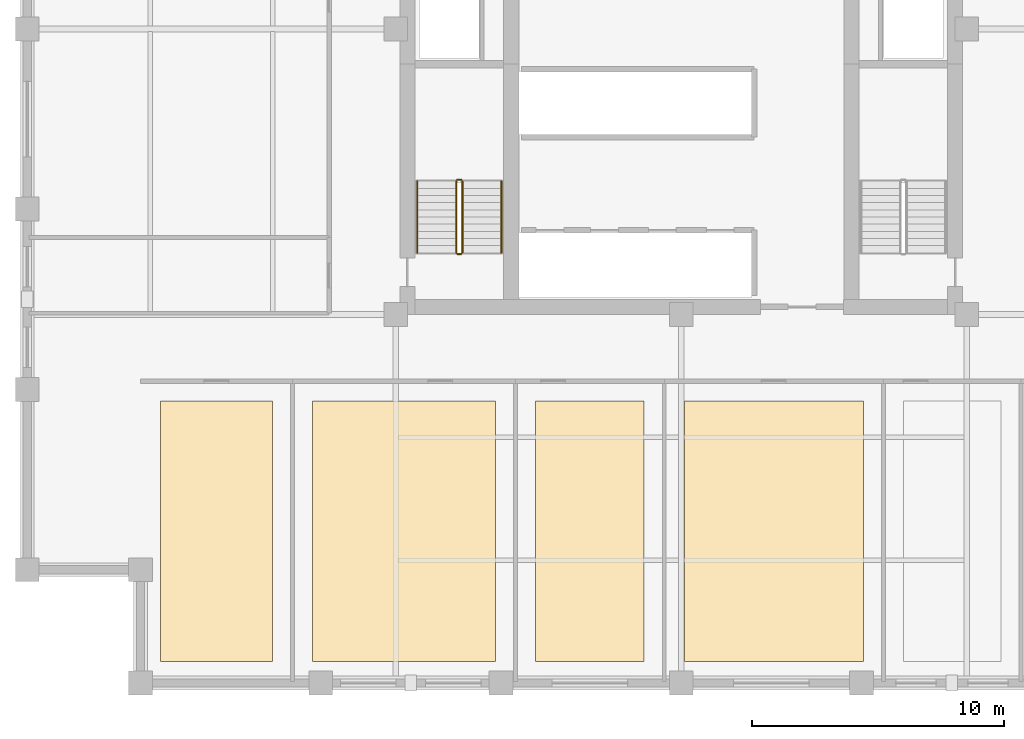
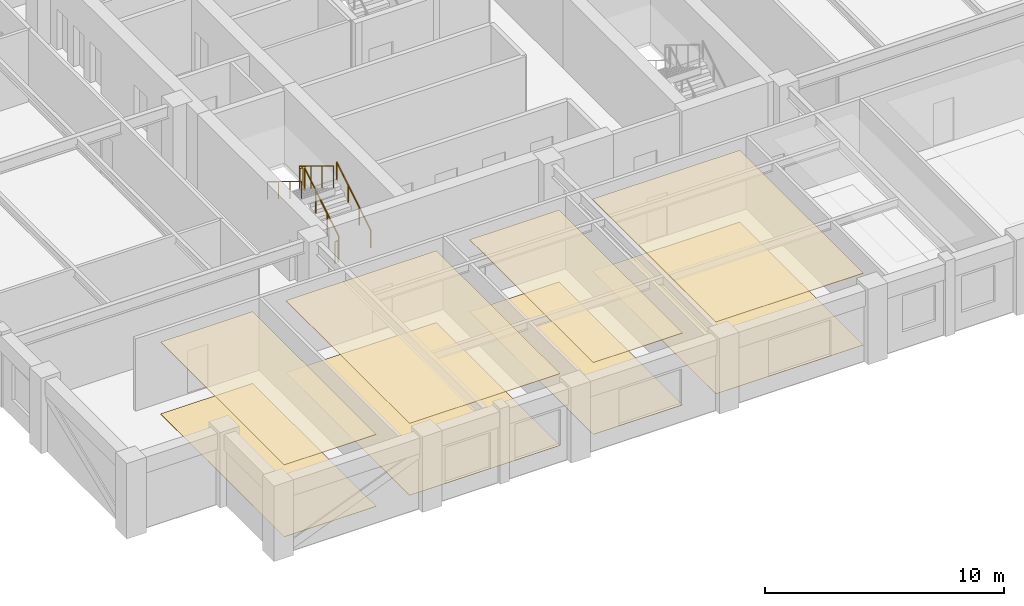
# One storey, part 7 of 9: 8 coverings, 6 railings.
"""IFC4 building model written with IfcOpenShell, lengths in metres."""

from ifc_helpers import new_model, si_unit, direction, frame, origin, origin_2d, place, context, subcontext, project, spatial, polyline, circle, outline, extrude, material, layer, layer_set, type_object, element, save


model = new_model("IFC4")

# Units and contexts
model_context = context("Model", 3, precision=1e-05, world=origin(), true_north=direction((0.0, 1.0)))
body_context = subcontext(model_context, "Body", "Model", "MODEL_VIEW")
ifc_project = project(units=[si_unit("LENGTHUNIT", "METRE"), si_unit("AREAUNIT", "SQUARE_METRE"), si_unit("VOLUMEUNIT", "CUBIC_METRE"), si_unit("PLANEANGLEUNIT", "RADIAN"), si_unit("MASSUNIT", "GRAM", prefix="KILO")], contexts=[model_context])

# Site, building, storey
site_placement = place(None, origin())
site = spatial("IfcSite", under=ifc_project, at=site_placement, CompositionType="ELEMENT")
building_placement = place(site_placement, origin())
building = spatial("IfcBuilding", under=site, at=building_placement, Name="Nhamokura Convention Tower", CompositionType="ELEMENT")
storey_placement = place(building_placement, frame((0.0, 0.0, 122.14990234375)))
storey = spatial("IfcBuildingStorey", under=building, at=storey_placement, Name="L29", CompositionType="ELEMENT", Elevation=122.14990234375)

# Coverings
ifc_material_1 = material(Name="Mineral-fibre acoustic ceiling tile", Category="gypsum")
ifc_layer_1 = layer(ifc_material_1, 0.02490234375)
ifc_layer_set_1 = layer_set([ifc_layer_1], Name="AcousticTileCeiling_25")
covering_type_1 = type_object("IfcCoveringType", Name="AcousticTileCeiling_25", PredefinedType="CEILING", material=ifc_layer_set_1)
covering_1_placement = place(storey_placement, frame((0.0, 0.0, 3.66015625)))
element("IfcCovering", 1, at=covering_1_placement, inside=storey, type_object=covering_type_1, Name="L29 Suspended Ceiling 01", PredefinedType="CEILING", context=body_context, shape_type="SweptSolid", body=[
    extrude(outline(polyline([(11.300048828125, 6.860107421875), (15.74169921875, 6.860107421875), (15.74169921875, 17.199951171875), (11.300048828125, 17.199951171875), (11.300048828125, 6.860107421875)])), origin(), (0.0, 0.0, 1.0), 0.02490234375),
])
covering_2_placement = place(storey_placement, frame((0.0, 0.0, 3.66015625)))
element("IfcCovering", 2, at=covering_2_placement, inside=storey, type_object=covering_type_1, Name="L29 Suspended Ceiling 02", PredefinedType="CEILING", context=body_context, shape_type="SweptSolid", body=[
    extrude(outline(polyline([(17.341796875, 6.860107421875), (24.6083984375, 6.860107421875), (24.6083984375, 17.199951171875), (17.341796875, 17.199951171875), (17.341796875, 6.860107421875)])), origin(), (0.0, 0.0, 1.0), 0.02490234375),
])
covering_3_placement = place(storey_placement, frame((0.0, 0.0, 3.66015625)))
element("IfcCovering", 3, at=covering_3_placement, inside=storey, type_object=covering_type_1, Name="L29 Suspended Ceiling 03", PredefinedType="CEILING", context=body_context, shape_type="SweptSolid", body=[
    extrude(outline(polyline([(26.208251953125, 6.860107421875), (30.52490234375, 6.860107421875), (30.52490234375, 17.199951171875), (26.208251953125, 17.199951171875), (26.208251953125, 6.860107421875)])), origin(), (0.0, 0.0, 1.0), 0.02490234375),
])
covering_4_placement = place(storey_placement, frame((0.0, 0.0, 3.66015625)))
element("IfcCovering", 4, at=covering_4_placement, inside=storey, type_object=covering_type_1, Name="L29 Suspended Ceiling 04", PredefinedType="CEILING", context=body_context, shape_type="SweptSolid", body=[
    extrude(outline(polyline([(32.125, 6.860107421875), (39.24169921875, 6.860107421875), (39.24169921875, 17.199951171875), (32.125, 17.199951171875), (32.125, 6.860107421875)])), origin(), (0.0, 0.0, 1.0), 0.02490234375),
])

# Railings
ifc_material_2 = material(Name="Anodised bronze stainless steel", Category="steel")
railing_type_1 = type_object("IfcRailingType", Name="StairWallHandrail_900", PredefinedType="HANDRAIL", material=ifc_material_2)
railing_1_placement = place(storey_placement, frame((24.85009765625, 23.10009765625, 0.175048828125)))
element("IfcRailing", 5, at=railing_1_placement, inside=storey, type_object=railing_type_1, Name="L29 ST-01 stair handrail 1", PredefinedType="HANDRAIL", context=body_context, shape_type="SweptSolid", body=[
    extrude(circle(Radius=0.02392578125, at=origin_2d()), frame((0.0, 0.0, 0.8759765625), z_axis=(0.0, 0.852159232446, 0.523282564737), x_axis=(-1.0, 0.0, 0.0)), (0.0, 0.0, 1.0), 3.34423828125),
    extrude(circle(Radius=0.02099609375, at=origin_2d()), origin(), (0.0, 0.0, 1.0), 0.851806640625),
    extrude(circle(Radius=0.02099609375, at=origin_2d()), frame((0.0, 0.949951171875, 0.583251953125)), (0.0, 0.0, 1.0), 0.851806640625),
    extrude(circle(Radius=0.02099609375, at=origin_2d()), frame((0.0, 1.89990234375, 1.166748046875)), (0.0, 0.0, 1.0), 0.851806640625),
    extrude(circle(Radius=0.02099609375, at=origin_2d()), frame((0.0, 2.849853515625, 1.75)), (0.0, 0.0, 1.0), 0.851806640625),
])
railing_2_placement = place(storey_placement, frame((21.5, 25.949951171875, 2.10009765625)))
element("IfcRailing", 6, at=railing_2_placement, inside=storey, type_object=railing_type_1, Name="L29 ST-01 stair handrail 2", PredefinedType="HANDRAIL", context=body_context, shape_type="SweptSolid", body=[
    extrude(circle(Radius=0.02392578125, at=origin_2d()), frame((0.0, 0.0, 0.8759765625), z_axis=(0.0, -0.852159232446, 0.523282564737), x_axis=(1.0, 0.0, 0.0)), (0.0, 0.0, 1.0), 3.34423828125),
    extrude(circle(Radius=0.02099609375, at=origin_2d()), origin(), (0.0, 0.0, 1.0), 0.851806640625),
    extrude(circle(Radius=0.02099609375, at=origin_2d()), frame((0.0, -0.949951171875, 0.583251953125)), (0.0, 0.0, 1.0), 0.851806640625),
    extrude(circle(Radius=0.02099609375, at=origin_2d()), frame((0.0, -1.89990234375, 1.166748046875)), (0.0, 0.0, 1.0), 0.851806640625),
    extrude(circle(Radius=0.02099609375, at=origin_2d()), frame((0.0, -2.849853515625, 1.75)), (0.0, 0.0, 1.0), 0.851806640625),
])
ifc_material_3 = material(Name="Painted tubular steel", Category="steel")
railing_type_2 = type_object("IfcRailingType", Name="StairWellGuardrail_1150", PredefinedType="GUARDRAIL", material=ifc_material_3)
railing_3_placement = place(storey_placement, frame((23.300048828125, 23.10009765625, 0.175048828125)))
element("IfcRailing", 7, at=railing_3_placement, inside=storey, type_object=railing_type_2, Name="L29 ST-01 stair guard 1", PredefinedType="GUARDRAIL", context=body_context, shape_type="SweptSolid", body=[
    extrude(circle(Radius=0.02392578125, at=origin_2d()), frame((0.0, 0.0, 1.1259765625), z_axis=(0.0, 0.852159232446, 0.523282564737), x_axis=(-1.0, 0.0, 0.0)), (0.0, 0.0, 1.0), 3.34423828125),
    extrude(circle(Radius=0.02099609375, at=origin_2d()), origin(), (0.0, 0.0, 1.0), 1.101806640625),
    extrude(circle(Radius=0.02099609375, at=origin_2d()), frame((0.0, 0.949951171875, 0.583251953125)), (0.0, 0.0, 1.0), 1.101806640625),
    extrude(circle(Radius=0.02099609375, at=origin_2d()), frame((0.0, 1.89990234375, 1.166748046875)), (0.0, 0.0, 1.0), 1.101806640625),
    extrude(circle(Radius=0.02099609375, at=origin_2d()), frame((0.0, 2.849853515625, 1.75)), (0.0, 0.0, 1.0), 1.101806640625),
])
railing_4_placement = place(storey_placement, frame((23.25, 26.0, 1.925048828125)))
element("IfcRailing", 8, at=railing_4_placement, inside=storey, type_object=railing_type_2, Name="L29 ST-01 stair guard 2", PredefinedType="GUARDRAIL", context=body_context, shape_type="SweptSolid", body=[
    extrude(circle(Radius=0.02392578125, at=origin_2d()), frame((0.0, 0.0, 1.1259765625), z_axis=(-1.0, 0.0, 0.0), x_axis=(0.0, -1.0, 0.0)), (0.0, 0.0, 1.0), 0.14990234375),
    extrude(circle(Radius=0.02099609375, at=origin_2d()), origin(), (0.0, 0.0, 1.0), 1.101806640625),
    extrude(circle(Radius=0.02099609375, at=origin_2d()), frame((-0.14990234375, 0.0, 0.0)), (0.0, 0.0, 1.0), 1.101806640625),
])
railing_5_placement = place(storey_placement, frame((23.050048828125, 25.949951171875, 2.10009765625)))
element("IfcRailing", 9, at=railing_5_placement, inside=storey, type_object=railing_type_2, Name="L29 ST-01 stair guard 3", PredefinedType="GUARDRAIL", context=body_context, shape_type="SweptSolid", body=[
    extrude(circle(Radius=0.02392578125, at=origin_2d()), frame((0.0, 0.0, 1.1259765625), z_axis=(0.0, -0.852159232446, 0.523282564737), x_axis=(1.0, 0.0, 0.0)), (0.0, 0.0, 1.0), 3.34423828125),
    extrude(circle(Radius=0.02099609375, at=origin_2d()), origin(), (0.0, 0.0, 1.0), 1.101806640625),
    extrude(circle(Radius=0.02099609375, at=origin_2d()), frame((0.0, -0.949951171875, 0.583251953125)), (0.0, 0.0, 1.0), 1.101806640625),
    extrude(circle(Radius=0.02099609375, at=origin_2d()), frame((0.0, -1.89990234375, 1.166748046875)), (0.0, 0.0, 1.0), 1.101806640625),
    extrude(circle(Radius=0.02099609375, at=origin_2d()), frame((0.0, -2.849853515625, 1.75)), (0.0, 0.0, 1.0), 1.101806640625),
])
railing_6_placement = place(storey_placement, frame((23.25, 23.050048828125, 0.0)))
element("IfcRailing", 10, at=railing_6_placement, inside=storey, type_object=railing_type_2, Name="L29 ST-01 stair guard 4", PredefinedType="GUARDRAIL", context=body_context, shape_type="SweptSolid", body=[
    extrude(circle(Radius=0.02392578125, at=origin_2d()), frame((0.0, 0.0, 1.1259765625), z_axis=(-1.0, 0.0, 0.0), x_axis=(0.0, -1.0, 0.0)), (0.0, 0.0, 1.0), 0.14990234375),
    extrude(circle(Radius=0.02099609375, at=origin_2d()), origin(), (0.0, 0.0, 1.0), 1.101806640625),
    extrude(circle(Radius=0.02099609375, at=origin_2d()), frame((-0.14990234375, 0.0, 0.0)), (0.0, 0.0, 1.0), 1.101806640625),
])

# Coverings
ifc_material_4 = material(Name="Acoustic woven hospitality carpet", Category="wood")
ifc_layer_2 = layer(ifc_material_4, 0.014892578125)
ifc_layer_set_2 = layer_set([ifc_layer_2], Name="WovenCarpetFlooring_15")
covering_type_2 = type_object("IfcCoveringType", Name="WovenCarpetFlooring_15", PredefinedType="FLOORING", material=ifc_layer_set_2)
covering_5_placement = place(storey_placement, origin())
element("IfcCovering", 11, at=covering_5_placement, inside=storey, type_object=covering_type_2, Name="L29 Finish Flooring 01", PredefinedType="FLOORING", context=body_context, shape_type="SweptSolid", body=[
    extrude(outline(polyline([(11.300048828125, 6.860107421875), (15.74169921875, 6.860107421875), (15.74169921875, 17.199951171875), (11.300048828125, 17.199951171875), (11.300048828125, 6.860107421875)])), origin(), (0.0, 0.0, 1.0), 0.01513671875),
])
covering_6_placement = place(storey_placement, origin())
element("IfcCovering", 12, at=covering_6_placement, inside=storey, type_object=covering_type_2, Name="L29 Finish Flooring 02", PredefinedType="FLOORING", context=body_context, shape_type="SweptSolid", body=[
    extrude(outline(polyline([(17.341796875, 6.860107421875), (24.6083984375, 6.860107421875), (24.6083984375, 17.199951171875), (17.341796875, 17.199951171875), (17.341796875, 6.860107421875)])), origin(), (0.0, 0.0, 1.0), 0.01513671875),
])
covering_7_placement = place(storey_placement, origin())
element("IfcCovering", 13, at=covering_7_placement, inside=storey, type_object=covering_type_2, Name="L29 Finish Flooring 03", PredefinedType="FLOORING", context=body_context, shape_type="SweptSolid", body=[
    extrude(outline(polyline([(26.208251953125, 6.860107421875), (30.52490234375, 6.860107421875), (30.52490234375, 17.199951171875), (26.208251953125, 17.199951171875), (26.208251953125, 6.860107421875)])), origin(), (0.0, 0.0, 1.0), 0.01513671875),
])
covering_8_placement = place(storey_placement, origin())
element("IfcCovering", 14, at=covering_8_placement, inside=storey, type_object=covering_type_2, Name="L29 Finish Flooring 04", PredefinedType="FLOORING", context=body_context, shape_type="SweptSolid", body=[
    extrude(outline(polyline([(32.125, 6.860107421875), (39.24169921875, 6.860107421875), (39.24169921875, 17.199951171875), (32.125, 17.199951171875), (32.125, 6.860107421875)])), origin(), (0.0, 0.0, 1.0), 0.01513671875),
])

save(model, "model.ifc")
